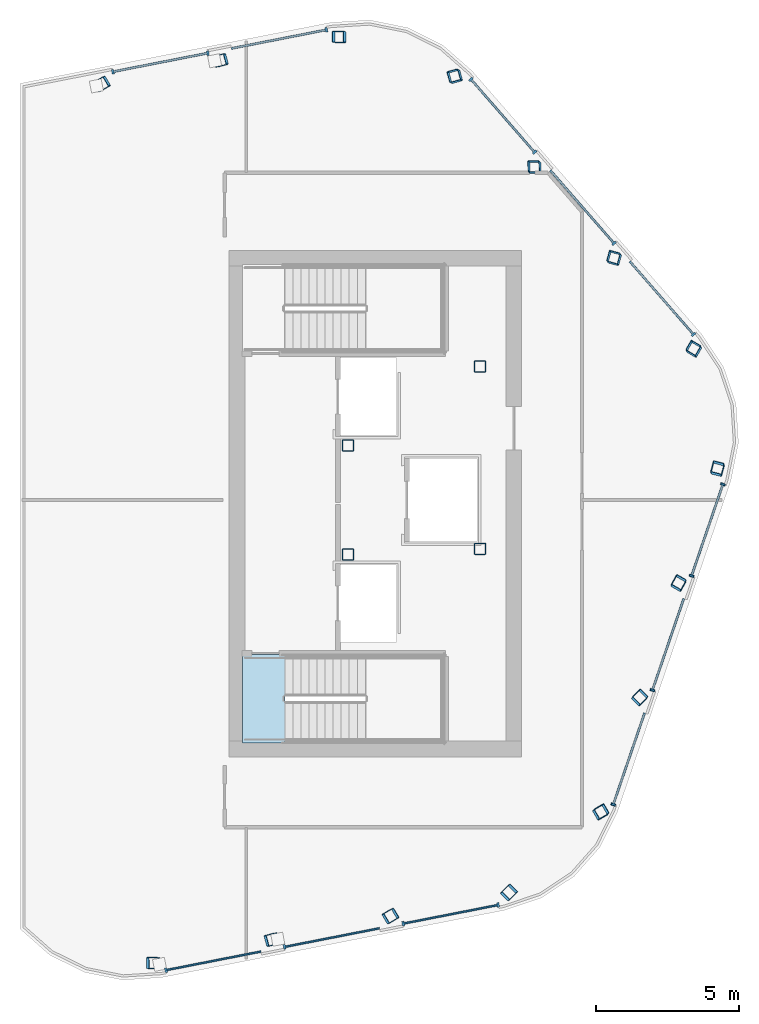
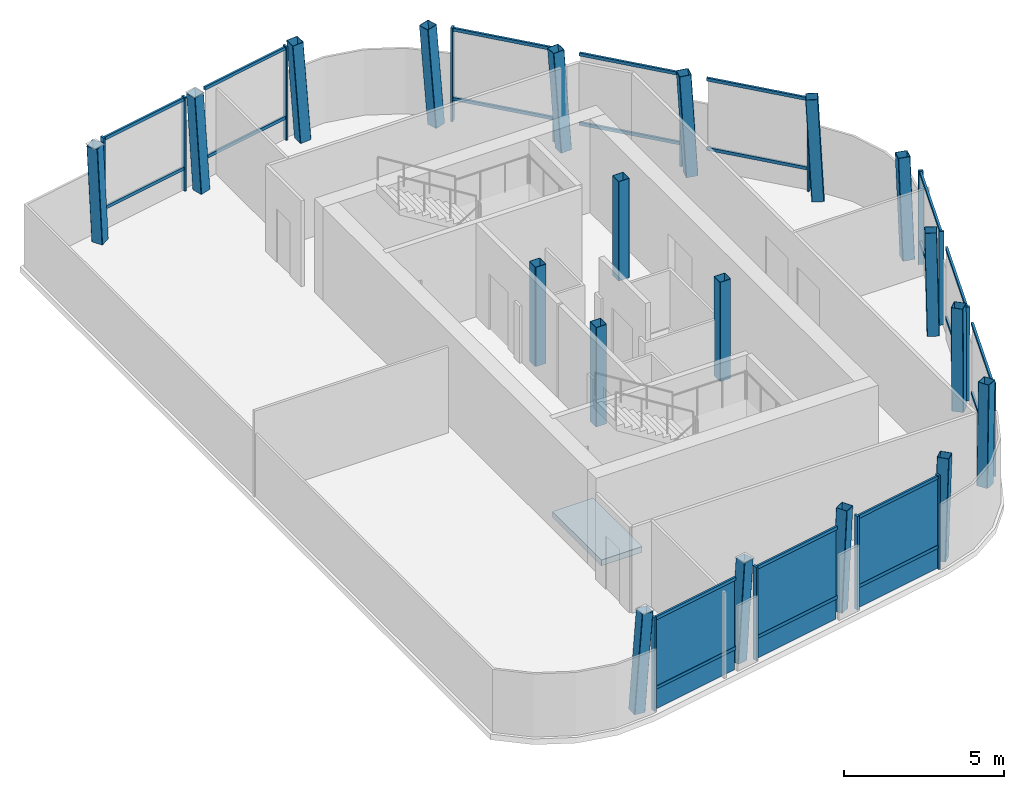
# One storey, part 1 of 5: 37 members, 19 columns, 3 plates, 1 slab, 4 elements without a shape of their own.
"""IFC4 building model written with IfcOpenShell, lengths in metres."""

import ifcopenshell
import ifcopenshell.guid

model = None  # the IFC model being written
_history = None  # IfcOwnerHistory: only IFC2X3 demands one
_inside = {}  # id of a spatial element -> (the spatial element, [elements in it])
_under = {}  # id of a project, library or spatial element -> (it, [spatial elements below it])
_declared = {}  # id of a project -> (the project, [libraries it declares])
_typed = {}  # id of a type object -> (the type object, [elements of that type])
_made_of = {}  # id of a material, layer set ... -> (it, [elements and type objects made of it])


def new_model(schema):
    """Start an empty IFC model of exactly this schema.

    Asked for "IFC4X3", IfcOpenShell would pick the latest addendum, in which some entities
    have other attributes; the version numbers below select the first issue.
    IFC2X3 requires an IfcOwnerHistory on every rooted entity: one is made here for all.
    """
    global model, _history
    if schema == "IFC4X3":
        model = ifcopenshell.file(schema_version=(4, 3, 0, 0))
    else:
        model = ifcopenshell.file(schema=schema)
    _inside.clear()
    _under.clear()
    _declared.clear()
    _typed.clear()
    _made_of.clear()
    _history = None
    if model.schema == "IFC2X3":
        org = make("IfcOrganization", Name="unknown")
        user = make(
            "IfcPersonAndOrganization",
            ThePerson=make("IfcPerson", FamilyName="unknown"),
            TheOrganization=org,
        )
        app = make(
            "IfcApplication",
            ApplicationDeveloper=org,
            Version="unknown",
            ApplicationFullName="unknown",
            ApplicationIdentifier="unknown",
        )
        _history = make(
            "IfcOwnerHistory",
            OwningUser=user,
            OwningApplication=app,
            ChangeAction="ADDED",
            CreationDate=0,
        )
    return model


def make(cls, **values):
    """One entity of the class cls with the attributes given. An attribute that is None is left unset."""
    return model.create_entity(
        cls, **{name: value for name, value in values.items() if value is not None}
    )


def rooted(cls, **values):
    """An entity with a GlobalId (a new one), such as an element, a storey or a relation."""
    return make(cls, GlobalId=ifcopenshell.guid.new(), OwnerHistory=_history, **values)


def si_unit(unit_type, name, prefix=None):
    """IfcSIUnit, for example si_unit("LENGTHUNIT", "METRE", prefix="MILLI")."""
    return make("IfcSIUnit", UnitType=unit_type, Prefix=prefix, Name=name)


def assignment(units):
    """IfcUnitAssignment: the units of a project."""
    return None if units is None else make("IfcUnitAssignment", Units=units)


def point(xyz):
    """IfcCartesianPoint."""
    return None if xyz is None else make("IfcCartesianPoint", Coordinates=xyz)


def direction(xyz):
    """IfcDirection."""
    return None if xyz is None else make("IfcDirection", DirectionRatios=xyz)


def frame(location, z_axis=None, x_axis=None):
    """IfcAxis2Placement3D, a coordinate frame: its origin and axes. An axis left out is left unset."""
    return make(
        "IfcAxis2Placement3D",
        Location=point(location),
        Axis=direction(z_axis),
        RefDirection=direction(x_axis),
    )


def frame_2d(location, x_axis=None):
    """IfcAxis2Placement2D, a coordinate frame in the plane: its origin and x axis."""
    return make(
        "IfcAxis2Placement2D", Location=point(location), RefDirection=direction(x_axis)
    )


def origin():
    """The frame at (0, 0, 0) with its axes left unset."""
    return frame((0.0, 0.0, 0.0))


def origin_2d():
    """The frame at (0, 0) in the plane with its x axis left unset."""
    return frame_2d((0.0, 0.0))


def place(relative_to, where):
    """IfcLocalPlacement: puts the frame where relative to a parent placement (None: the world)."""
    return make(
        "IfcLocalPlacement", PlacementRelTo=relative_to, RelativePlacement=where
    )


def context(
    kind, dimensions, precision=None, world=None, true_north=None, identifier=None
):
    """IfcGeometricRepresentationContext, for example the 3D "Model" context."""
    return make(
        "IfcGeometricRepresentationContext",
        ContextIdentifier=identifier,
        ContextType=kind,
        CoordinateSpaceDimension=dimensions,
        Precision=precision,
        WorldCoordinateSystem=world,
        TrueNorth=true_north,
    )


def subcontext(parent, identifier, kind, view, scale=None):
    """IfcGeometricRepresentationSubContext, for example "Body" below "Model"."""
    return make(
        "IfcGeometricRepresentationSubContext",
        ContextIdentifier=identifier,
        ContextType=kind,
        ParentContext=parent,
        TargetScale=scale,
        TargetView=view,
    )


def project(units=None, contexts=None):
    """IfcProject with its units and contexts."""
    return rooted(
        "IfcProject",
        Name="project",
        RepresentationContexts=contexts,
        UnitsInContext=assignment(units),
    )


def spatial(cls, under=None, at=None, **own):
    """A site, building, storey or space (cls), placed at a placement, below another one or the project."""
    s = rooted(cls, ObjectPlacement=at, **own)
    if under is not None:
        _under.setdefault(under.id(), (under, []))[1].append(s)
    return s


def polyline(points):
    """IfcPolyline through the points."""
    return make("IfcPolyline", Points=[point(p) for p in points])


def profile(cls, at=None, kind="AREA", **sizes):
    """A parametric profile (cls). Its sizes go by their IFC names, for example OverallWidth=200.0."""
    return make(cls, ProfileType=kind, Position=at, **sizes)


def rectangle(**sizes):
    """IfcRectangleProfileDef."""
    return profile("IfcRectangleProfileDef", **sizes)


def hollow_rectangle(**sizes):
    """IfcRectangleHollowProfileDef."""
    return profile("IfcRectangleHollowProfileDef", **sizes)


def outline(outer, holes=None, kind="AREA"):
    """IfcArbitraryClosedProfileDef: a profile drawn as a closed curve; with holes, ...WithVoids."""
    if holes is None:
        return make("IfcArbitraryClosedProfileDef", ProfileType=kind, OuterCurve=outer)
    return make(
        "IfcArbitraryProfileDefWithVoids",
        ProfileType=kind,
        OuterCurve=outer,
        InnerCurves=holes,
    )


def extrude(swept, where, along, depth):
    """IfcExtrudedAreaSolid: the profile swept, set in the frame where, extruded along a direction by depth."""
    return make(
        "IfcExtrudedAreaSolid",
        SweptArea=swept,
        Position=where,
        ExtrudedDirection=direction(along),
        Depth=depth,
    )


def shape(context_of_items, identifier, shape_type, items):
    """IfcShapeRepresentation: the items that make up one representation, for example the "Body"."""
    return make(
        "IfcShapeRepresentation",
        ContextOfItems=context_of_items,
        RepresentationIdentifier=identifier,
        RepresentationType=shape_type,
        Items=items,
    )


def material(Name=None, Category=None):
    """IfcMaterial."""
    return make("IfcMaterial", Name=Name, Category=Category)


def layer(
    of_material, thickness, ventilated=None, Name=None, Category=None, Priority=None
):
    """IfcMaterialLayer: one layer of a wall or slab, of a material (None: an air gap)."""
    return make(
        "IfcMaterialLayer",
        Material=of_material,
        LayerThickness=thickness,
        IsVentilated=ventilated,
        Name=Name,
        Category=Category,
        Priority=Priority,
    )


def layer_set(layers, Name=None):
    """IfcMaterialLayerSet."""
    return make("IfcMaterialLayerSet", MaterialLayers=layers, LayerSetName=Name)


def material_profile(
    of_material, cross_section, Name=None, Category=None, Priority=None
):
    """IfcMaterialProfile: a cross section and its material."""
    return make(
        "IfcMaterialProfile",
        Name=Name,
        Material=of_material,
        Profile=cross_section,
        Priority=Priority,
        Category=Category,
    )


def profile_set(profiles, Name=None, composite=None):
    """IfcMaterialProfileSet."""
    return make(
        "IfcMaterialProfileSet",
        Name=Name,
        MaterialProfiles=profiles,
        CompositeProfile=composite,
    )


def made_of(thing, what):
    """Note that an element or type object is made of a material, layer set ...; save() writes the relation."""
    if what is not None:
        _made_of.setdefault(what.id(), (what, []))[1].append(thing)
    return thing


def type_object(cls, material=None, **own):
    """A type object (cls), such as IfcWallType, which elements share."""
    return made_of(rooted(cls, **own), material)


def element(
    cls,
    number,
    at=None,
    inside=None,
    cuts=None,
    type_object=None,
    material=None,
    context=None,
    identifier="Body",
    shape_type=None,
    held_by="IfcProductDefinitionShape",
    body=None,
    shapes=None,
    **own,
):
    """One element of the class cls, such as IfcWall. Its Tag is "e" and its number.

    at: its placement. inside: the storey or other place that contains it. cuts: it is an
    opening in that element (IfcRelVoidsElement). A single representation is given by context,
    identifier, shape_type and body (its items); several are given by shapes. held_by: the class
    of the entity that holds the representations. save() writes the other relations.
    """
    e = rooted(cls, Tag="e%d" % number, ObjectPlacement=at, **own)
    if body is not None:
        shapes = [shape(context, identifier, shape_type, body)]
    if shapes is not None:
        e.Representation = make(held_by, Representations=shapes)
    if inside is not None:
        _inside.setdefault(inside.id(), (inside, []))[1].append(e)
    if cuts is not None:
        rooted(
            "IfcRelVoidsElement", RelatingBuildingElement=cuts, RelatedOpeningElement=e
        )
    if type_object is not None:
        _typed.setdefault(type_object.id(), (type_object, []))[1].append(e)
    return made_of(e, material)


def aggregate(whole, parts):
    """IfcRelAggregates: a whole, such as a stair, and the parts it consists of."""
    return rooted("IfcRelAggregates", RelatingObject=whole, RelatedObjects=parts)


def save(model, path):
    """Write the relations noted so far, then the file.

    IfcRelAggregates (storeys below a building ...), IfcRelContainedInSpatialStructure (elements
    in a storey), IfcRelDefinesByType, IfcRelAssociatesMaterial and IfcRelDeclares: one each for
    every whole, place, type object, material and project.
    """
    for whole, parts in _under.values():
        aggregate(whole, parts)
    for where, things in _inside.values():
        rooted(
            "IfcRelContainedInSpatialStructure",
            RelatedElements=things,
            RelatingStructure=where,
        )
    for kind, things in _typed.values():
        rooted("IfcRelDefinesByType", RelatedObjects=things, RelatingType=kind)
    for what, things in _made_of.values():
        rooted("IfcRelAssociatesMaterial", RelatedObjects=things, RelatingMaterial=what)
    for by, libraries in _declared.values():
        rooted("IfcRelDeclares", RelatingContext=by, RelatedDefinitions=libraries)
    model.write(path)


model = new_model("IFC4")

# Units and contexts
model_context = context("Model", 3, precision=1e-05, world=origin(), true_north=direction((0.0, 1.0)))
body_context = subcontext(model_context, "Body", "Model", "MODEL_VIEW")
ifc_project = project(units=[si_unit("LENGTHUNIT", "METRE"), si_unit("AREAUNIT", "SQUARE_METRE"), si_unit("VOLUMEUNIT", "CUBIC_METRE"), si_unit("PLANEANGLEUNIT", "RADIAN"), si_unit("MASSUNIT", "GRAM", prefix="KILO")], contexts=[model_context])

# Site, building, storey
site_placement = place(None, origin())
site = spatial("IfcSite", under=ifc_project, at=site_placement, CompositionType="ELEMENT")
building_placement = place(site_placement, origin())
building = spatial("IfcBuilding", under=site, at=building_placement, Name="Valkerne Bourse Tower", CompositionType="ELEMENT")
storey_placement = place(building_placement, frame((0.0, 0.0, 330.60009765625)))
storey = spatial("IfcBuildingStorey", under=building, at=storey_placement, Name="L84", CompositionType="ELEMENT", Elevation=330.60009765625)

# Columns
ifc_material_1 = material(Name="Steel ASTM A500 Grade C", Category="steel")
ifc_material_profile_1 = material_profile(ifc_material_1, hollow_rectangle(XDim=0.39990234375, YDim=0.39990234375, WallThickness=0.01611328125, OuterFilletRadius=0.031982421875, at=origin_2d()), Name="HSS400X400X16")
ifc_profile_set_1 = profile_set([ifc_material_profile_1], Name="Steel ASTM A500 Grade C")
column_type = type_object("IfcColumnType", Name="COL-HSS400X400X16", PredefinedType="COLUMN", material=ifc_profile_set_1)
for number, where, z_axis, x_axis, name in (
    (1, (50.35009765625, 25.10009765625, 0.0048828125), (0.0, 0.0, 1.0), (1.0, 0.0, 0.0), "L84 Core Frame Column CC-CE1"),
    (2, (50.35009765625, 28.89990234375, 0.0048828125), (0.0, 0.0, 1.0), (1.0, 0.0, 0.0), "L84 Core Frame Column CC-CE2"),
    (3, (54.949951171875, 25.300048828125, 0.0048828125), (0.0, 0.0, 1.0), (1.0, 0.0, 0.0), "L84 Core Frame Column CC-SE"),
    (4, (54.949951171875, 31.64990234375, 0.0048828125), (0.0, 0.0, 1.0), (1.0, 0.0, 0.0), "L84 Core Frame Column CC-NE"),
):
    element("IfcColumn", number, at=place(storey_placement, frame(where, z_axis=z_axis, x_axis=x_axis)), inside=storey, type_object=column_type, Name=name, PredefinedType="COLUMN", context=body_context, shape_type="SweptSolid", body=[
        extrude(hollow_rectangle(XDim=0.39990234375, YDim=0.39990234375, WallThickness=0.01611328125, OuterFilletRadius=0.031982421875, at=origin_2d()), origin(), (0.0, 0.0, 1.0), 3.794921875),
    ])
column_1_placement = place(storey_placement, frame((50.07373046875, 43.130859375, 0.010009765625), z_axis=(-0.066996518539, 0.013012785332, 0.997668348662), x_axis=(-0.00144876862, 0.999912625495, -0.013139347176)))
element("IfcColumn", 5, at=column_1_placement, inside=storey, type_object=column_type, Name="L84 Helical Perimeter Tube Column F1-C1", PredefinedType="COLUMN", context=body_context, shape_type="SweptSolid", body=[
    extrude(hollow_rectangle(XDim=0.39990234375, YDim=0.39990234375, WallThickness=0.01611328125, OuterFilletRadius=0.031982421875, at=origin_2d()), origin(), (0.0, 0.0, 1.0), 3.789794921875),
])
for number, where, z_axis, x_axis, name in (
    (6, (45.9404296875, 42.31982421875, 0.010009765625), (-0.063472956166, -0.004059691613, 0.997975301668), (-0.254375280028, 0.967028065338, -0.012244907517), "L84 Helical Perimeter Tube Column F1-C2"),
    (7, (41.807373046875, 41.509033203125, 0.010009765625), (-0.059993119854, -0.021200576189, 0.997973627477), (-0.508111108983, 0.861204412037, -0.012249963899), "L84 Helical Perimeter Tube Column F1-C3"),
):
    element("IfcColumn", number, at=place(storey_placement, frame(where, z_axis=z_axis, x_axis=x_axis)), inside=storey, type_object=column_type, Name=name, PredefinedType="COLUMN", context=body_context, shape_type="SweptSolid", body=[
        extrude(hollow_rectangle(XDim=0.39990234375, YDim=0.39990234375, WallThickness=0.01611328125, OuterFilletRadius=0.031982421875, at=origin_2d()), origin(), (0.0, 0.0, 1.0), 3.78857421875),
    ])
column_2_placement = place(storey_placement, frame((43.5263671875, 10.869140625, 0.010009765625), z_axis=(0.066932387544, -0.013012841467, 0.997672652454), x_axis=(-0.001269459924, 0.999913028379, 0.013127229327)))
element("IfcColumn", 8, at=column_2_placement, inside=storey, type_object=column_type, Name="L84 Helical Perimeter Tube Column F4-C1", PredefinedType="COLUMN", context=body_context, shape_type="SweptSolid", body=[
    extrude(hollow_rectangle(XDim=0.39990234375, YDim=0.39990234375, WallThickness=0.01611328125, OuterFilletRadius=0.031982421875, at=origin_2d()), origin(), (0.0, 0.0, 1.0), 3.789794921875),
])
for number, where, z_axis, x_axis, name in (
    (9, (47.659423828125, 11.68017578125, 0.010009765625), (0.063472956166, 0.004059691613, 0.997975301668), (-0.254375280028, 0.967028065338, 0.012244907517), "L84 Helical Perimeter Tube Column F4-C2"),
    (10, (51.792724609375, 12.490966796875, 0.010009765625), (0.059993119854, 0.021200576189, 0.997973627477), (-0.508111108983, 0.861204412037, 0.012249963899), "L84 Helical Perimeter Tube Column F4-C3"),
):
    element("IfcColumn", number, at=place(storey_placement, frame(where, z_axis=z_axis, x_axis=x_axis)), inside=storey, type_object=column_type, Name=name, PredefinedType="COLUMN", context=body_context, shape_type="SweptSolid", body=[
        extrude(hollow_rectangle(XDim=0.39990234375, YDim=0.39990234375, WallThickness=0.01611328125, OuterFilletRadius=0.031982421875, at=origin_2d()), origin(), (0.0, 0.0, 1.0), 3.78857421875),
    ])
for number, where, z_axis, x_axis, name in (
    (11, (55.92578125, 13.302001953125, 0.010009765625), (0.056496154115, 0.038265354098, 0.997669257443), (-0.709323895139, 0.704760268851, 0.013136789329), "L84 Helical Perimeter Tube Column F4-C4"),
    (12, (59.1328125, 16.099609375, 0.010009765625), (0.044771802764, 0.051471468213, 0.997670373238), (-0.863862111964, -0.499576536897, 0.064540958274), "L84 Helical Perimeter Tube Column F5-C1"),
):
    element("IfcColumn", number, at=place(storey_placement, frame(where, z_axis=z_axis, x_axis=x_axis)), inside=storey, type_object=column_type, Name=name, PredefinedType="COLUMN", context=body_context, shape_type="SweptSolid", body=[
        extrude(hollow_rectangle(XDim=0.39990234375, YDim=0.39990234375, WallThickness=0.01611328125, OuterFilletRadius=0.031982421875, at=origin_2d()), origin(), (0.0, 0.0, 1.0), 3.789794921875),
    ])
for number, where, z_axis, x_axis, name in (
    (13, (60.4970703125, 20.08447265625, 0.010009765625), (0.028224575029, 0.056964667411, 0.997977154063), (-0.709425047503, -0.702209766918, 0.060146032463), "L84 Helical Perimeter Tube Column F5-C2"),
    (14, (61.861572265625, 24.0693359375, 0.010009765625), (0.011663524346, 0.06257061956, 0.997972384271), (-0.491450273795, -0.868821363568, 0.06021682983), "L84 Helical Perimeter Tube Column F5-C3"),
):
    element("IfcColumn", number, at=place(storey_placement, frame(where, z_axis=z_axis, x_axis=x_axis)), inside=storey, type_object=column_type, Name=name, PredefinedType="COLUMN", context=body_context, shape_type="SweptSolid", body=[
        extrude(hollow_rectangle(XDim=0.39990234375, YDim=0.39990234375, WallThickness=0.01611328125, OuterFilletRadius=0.031982421875, at=origin_2d()), origin(), (0.0, 0.0, 1.0), 3.78857421875),
    ])
for number, where, z_axis, x_axis, name in (
    (15, (63.225830078125, 28.05419921875, 0.010009765625), (-0.004895914589, 0.06802744481, 0.997671437284), (-0.25532609799, -0.9646994085, 0.064526234386), "L84 Helical Perimeter Tube Column F5-C4"),
    (16, (62.406494140625, 32.230224609375, 0.010009765625), (-0.022160389844, 0.064548577395, 0.997668481149), (0.865873755489, -0.497612082001, 0.051428157684), "L84 Helical Perimeter Tube Column F6-C1"),
):
    element("IfcColumn", number, at=place(storey_placement, frame(where, z_axis=z_axis, x_axis=x_axis)), inside=storey, type_object=column_type, Name=name, PredefinedType="COLUMN", context=body_context, shape_type="SweptSolid", body=[
        extrude(hollow_rectangle(XDim=0.39990234375, YDim=0.39990234375, WallThickness=0.01611328125, OuterFilletRadius=0.031982421875, at=origin_2d()), origin(), (0.0, 0.0, 1.0), 3.789794921875),
    ])
for number, where, z_axis, x_axis, name in (
    (17, (59.6376953125, 35.404296875, 0.010009765625), (-0.03524838237, 0.052969232739, 0.997973853326), (0.963903736853, -0.261898436347, 0.047945751839), "L84 Helical Perimeter Tube Column F6-C2"),
    (18, (56.868896484375, 38.578369140625, 0.010009765625), (-0.048329614894, 0.041370150349, 0.997974327818), (0.998796526279, 0.010355760172, 0.047940143132), "L84 Helical Perimeter Tube Column F6-C3"),
):
    element("IfcColumn", number, at=place(storey_placement, frame(where, z_axis=z_axis, x_axis=x_axis)), inside=storey, type_object=column_type, Name=name, PredefinedType="COLUMN", context=body_context, shape_type="SweptSolid", body=[
        extrude(hollow_rectangle(XDim=0.39990234375, YDim=0.39990234375, WallThickness=0.01611328125, OuterFilletRadius=0.031982421875, at=origin_2d()), origin(), (0.0, 0.0, 1.0), 3.78857421875),
    ])
column_3_placement = place(storey_placement, frame((54.099853515625, 41.752197265625, 0.010009765625), z_axis=(-0.061392097751, 0.029761961344, 0.99766990332), x_axis=(0.963268842506, 0.263571419299, 0.051412488616)))
element("IfcColumn", 19, at=column_3_placement, inside=storey, type_object=column_type, Name="L84 Helical Perimeter Tube Column F6-C4", PredefinedType="COLUMN", context=body_context, shape_type="SweptSolid", body=[
    extrude(hollow_rectangle(XDim=0.39990234375, YDim=0.39990234375, WallThickness=0.01611328125, OuterFilletRadius=0.031982421875, at=origin_2d()), origin(), (0.0, 0.0, 1.0), 3.789794921875),
])

# Curtain wall, members
ifc_material_2 = material(Name="Aluminium AA 6063-T6", Category="aluminium")
ifc_layer_1 = layer(ifc_material_2, 0.25)
ifc_layer_set_1 = layer_set([ifc_layer_1], Name="Aluminium AA 6063-T6")
curtain_wall_type = type_object("IfcCurtainWallType", Name="CW-06", PredefinedType="NOTDEFINED", material=ifc_layer_set_1)
curtain_wall_1_placement = place(storey_placement, origin())
curtain_wall_1 = element("IfcCurtainWall", 20, at=curtain_wall_1_placement, inside=storey, type_object=curtain_wall_type, Name="L84 Hexagonal Stick Curtain Wall Face 1", PredefinedType="NOTDEFINED")
ifc_material_profile_2 = material_profile(ifc_material_2, rectangle(XDim=0.074951171875, YDim=0.159912109375, at=origin_2d()), Name="CWM-75X160")
ifc_profile_set_2 = profile_set([ifc_material_profile_2], Name="Aluminium AA 6063-T6")
member_type_1 = type_object("IfcMemberType", Name="CW-MUL-160X75", PredefinedType="MULLION", material=ifc_profile_set_2)
member_1_placement = place(storey_placement, frame((49.59619140625, 43.383544921875, 0.0), z_axis=(0.0, 0.0, 1.0), x_axis=(-0.981292735792, -0.192521600561, 0.0)))
member_1 = element("IfcMember", 21, at=member_1_placement, type_object=member_type_1, Name="CW-L84-F1 Jamb Mullion 00A", PredefinedType="MULLION", context=body_context, shape_type="SweptSolid", body=[
    extrude(rectangle(XDim=0.074951171875, YDim=0.159912109375, at=origin_2d()), origin(), (0.0, 0.0, 1.0), 3.579833984375),
])
member_2_placement = place(storey_placement, frame((45.462890625, 42.57275390625, 0.0), z_axis=(0.0, 0.0, 1.0), x_axis=(-0.981292735792, -0.192521600561, 0.0)))
member_2 = element("IfcMember", 22, at=member_2_placement, type_object=member_type_1, Name="CW-L84-F1 Jamb Mullion 01A", PredefinedType="MULLION", context=body_context, shape_type="SweptSolid", body=[
    extrude(rectangle(XDim=0.074951171875, YDim=0.159912109375, at=origin_2d()), origin(), (0.0, 0.0, 1.0), 3.579833984375),
])
member_3_placement = place(storey_placement, frame((42.154052734375, 41.923583984375, 0.0), z_axis=(0.0, 0.0, 1.0), x_axis=(-0.981292735792, -0.192521600561, 0.0)))
member_3 = element("IfcMember", 23, at=member_3_placement, type_object=member_type_1, Name="CW-L84-F1 Jamb Mullion 01B", PredefinedType="MULLION", context=body_context, shape_type="SweptSolid", body=[
    extrude(rectangle(XDim=0.074951171875, YDim=0.159912109375, at=origin_2d()), origin(), (0.0, 0.0, 1.0), 3.579833984375),
])

curtain_wall_2_placement = place(storey_placement, origin())
curtain_wall_2 = element("IfcCurtainWall", 24, at=curtain_wall_2_placement, inside=storey, type_object=curtain_wall_type, Name="L84 Hexagonal Stick Curtain Wall Face 4", PredefinedType="NOTDEFINED")
member_4_placement = place(storey_placement, frame((44.00390625, 10.616455078125, 0.0), z_axis=(0.0, 0.0, 1.0), x_axis=(0.981292735792, 0.192521600561, 0.0)))
member_4 = element("IfcMember", 25, at=member_4_placement, type_object=member_type_1, Name="CW-L84-F4 Jamb Mullion 00A", PredefinedType="MULLION", context=body_context, shape_type="SweptSolid", body=[
    extrude(rectangle(XDim=0.074951171875, YDim=0.159912109375, at=origin_2d()), origin(), (0.0, 0.0, 1.0), 3.579833984375),
])
member_5_placement = place(storey_placement, frame((48.13720703125, 11.42724609375, 0.0), z_axis=(0.0, 0.0, 1.0), x_axis=(0.981292735792, 0.192521600561, 0.0)))
member_5 = element("IfcMember", 26, at=member_5_placement, type_object=member_type_1, Name="CW-L84-F4 Jamb Mullion 01A", PredefinedType="MULLION", context=body_context, shape_type="SweptSolid", body=[
    extrude(rectangle(XDim=0.074951171875, YDim=0.159912109375, at=origin_2d()), origin(), (0.0, 0.0, 1.0), 3.579833984375),
])
member_6_placement = place(storey_placement, frame((52.270263671875, 12.23828125, 0.0), z_axis=(0.0, 0.0, 1.0), x_axis=(0.981292735792, 0.192521600561, 0.0)))
member_6 = element("IfcMember", 27, at=member_6_placement, type_object=member_type_1, Name="CW-L84-F4 Jamb Mullion 02A", PredefinedType="MULLION", context=body_context, shape_type="SweptSolid", body=[
    extrude(rectangle(XDim=0.074951171875, YDim=0.159912109375, at=origin_2d()), origin(), (0.0, 0.0, 1.0), 3.579833984375),
])
member_7_placement = place(storey_placement, frame((55.5791015625, 12.887451171875, 0.0), z_axis=(0.0, 0.0, 1.0), x_axis=(0.981292735792, 0.192521600561, 0.0)))
member_7 = element("IfcMember", 28, at=member_7_placement, type_object=member_type_1, Name="CW-L84-F4 Jamb Mullion 02B", PredefinedType="MULLION", context=body_context, shape_type="SweptSolid", body=[
    extrude(rectangle(XDim=0.074951171875, YDim=0.159912109375, at=origin_2d()), origin(), (0.0, 0.0, 1.0), 3.579833984375),
])

curtain_wall_3_placement = place(storey_placement, origin())
curtain_wall_3 = element("IfcCurtainWall", 29, at=curtain_wall_3_placement, inside=storey, type_object=curtain_wall_type, Name="L84 Hexagonal Stick Curtain Wall Face 5", PredefinedType="NOTDEFINED")
member_8_placement = place(storey_placement, frame((59.590576171875, 16.38671875, 0.0), z_axis=(0.0, 0.0, 1.0), x_axis=(0.32390972172, 0.946087993886, 0.0)))
member_8 = element("IfcMember", 30, at=member_8_placement, type_object=member_type_1, Name="CW-L84-F5 Jamb Mullion 00A", PredefinedType="MULLION", context=body_context, shape_type="SweptSolid", body=[
    extrude(rectangle(XDim=0.074951171875, YDim=0.159912109375, at=origin_2d()), origin(), (0.0, 0.0, 1.0), 3.579833984375),
])
member_9_placement = place(storey_placement, frame((60.954833984375, 20.37158203125, 0.0), z_axis=(0.0, 0.0, 1.0), x_axis=(0.323930972356, 0.946080718094, 0.0)))
member_9 = element("IfcMember", 31, at=member_9_placement, type_object=member_type_1, Name="CW-L84-F5 Jamb Mullion 01A", PredefinedType="MULLION", context=body_context, shape_type="SweptSolid", body=[
    extrude(rectangle(XDim=0.074951171875, YDim=0.159912109375, at=origin_2d()), origin(), (0.0, 0.0, 1.0), 3.579833984375),
])
member_10_placement = place(storey_placement, frame((62.319091796875, 24.3564453125, 0.0), z_axis=(0.0, 0.0, 1.0), x_axis=(0.32390972172, 0.946087993886, 0.0)))
member_10 = element("IfcMember", 32, at=member_10_placement, type_object=member_type_1, Name="CW-L84-F5 Jamb Mullion 02A", PredefinedType="MULLION", context=body_context, shape_type="SweptSolid", body=[
    extrude(rectangle(XDim=0.074951171875, YDim=0.159912109375, at=origin_2d()), origin(), (0.0, 0.0, 1.0), 3.579833984375),
])
member_11_placement = place(storey_placement, frame((63.411376953125, 27.546630859375, 0.0), z_axis=(0.0, 0.0, 1.0), x_axis=(0.32390972172, 0.946087993886, 0.0)))
member_11 = element("IfcMember", 33, at=member_11_placement, type_object=member_type_1, Name="CW-L84-F5 Jamb Mullion 02B", PredefinedType="MULLION", context=body_context, shape_type="SweptSolid", body=[
    extrude(rectangle(XDim=0.074951171875, YDim=0.159912109375, at=origin_2d()), origin(), (0.0, 0.0, 1.0), 3.579833984375),
])

curtain_wall_4_placement = place(storey_placement, origin())
curtain_wall_4 = element("IfcCurtainWall", 34, at=curtain_wall_4_placement, inside=storey, type_object=curtain_wall_type, Name="L84 Hexagonal Stick Curtain Wall Face 6", PredefinedType="NOTDEFINED")
member_12_placement = place(storey_placement, frame((62.38671875, 32.770263671875, 0.0), z_axis=(0.0, 0.0, 1.0), x_axis=(-0.657367604564, 0.753570058103, 0.0)))
member_12 = element("IfcMember", 35, at=member_12_placement, type_object=member_type_1, Name="CW-L84-F6 Jamb Mullion 00A", PredefinedType="MULLION", context=body_context, shape_type="SweptSolid", body=[
    extrude(rectangle(XDim=0.074951171875, YDim=0.159912109375, at=origin_2d()), origin(), (0.0, 0.0, 1.0), 3.579833984375),
])
member_13_placement = place(storey_placement, frame((59.617919921875, 35.9443359375, 0.0), z_axis=(0.0, 0.0, 1.0), x_axis=(-0.657381086544, 0.753558297051, 0.0)))
member_13 = element("IfcMember", 36, at=member_13_placement, type_object=member_type_1, Name="CW-L84-F6 Jamb Mullion 01A", PredefinedType="MULLION", context=body_context, shape_type="SweptSolid", body=[
    extrude(rectangle(XDim=0.074951171875, YDim=0.159912109375, at=origin_2d()), origin(), (0.0, 0.0, 1.0), 3.579833984375),
])
member_14_placement = place(storey_placement, frame((56.848876953125, 39.118408203125, 0.0), z_axis=(0.0, 0.0, 1.0), x_axis=(-0.657381086544, 0.753558297051, 0.0)))
member_14 = element("IfcMember", 37, at=member_14_placement, type_object=member_type_1, Name="CW-L84-F6 Jamb Mullion 02A", PredefinedType="MULLION", context=body_context, shape_type="SweptSolid", body=[
    extrude(rectangle(XDim=0.074951171875, YDim=0.159912109375, at=origin_2d()), origin(), (0.0, 0.0, 1.0), 3.579833984375),
])
member_15_placement = place(storey_placement, frame((54.632080078125, 41.6591796875, 0.0), z_axis=(0.0, 0.0, 1.0), x_axis=(-0.657381086544, 0.753558297051, 0.0)))
member_15 = element("IfcMember", 38, at=member_15_placement, type_object=member_type_1, Name="CW-L84-F6 Jamb Mullion 02B", PredefinedType="MULLION", context=body_context, shape_type="SweptSolid", body=[
    extrude(rectangle(XDim=0.074951171875, YDim=0.159912109375, at=origin_2d()), origin(), (0.0, 0.0, 1.0), 3.579833984375),
])

# Member
ifc_material_profile_3 = material_profile(ifc_material_2, rectangle(XDim=0.074951171875, YDim=0.1201171875, at=origin_2d()), Name="CWT-75X120")
ifc_profile_set_3 = profile_set([ifc_material_profile_3], Name="Aluminium AA 6063-T6")
member_type_2 = type_object("IfcMemberType", Name="CW-TRN-120X75", PredefinedType="USERDEFINED", material=ifc_profile_set_3)
member_16_placement = place(storey_placement, frame((49.59619140625, 43.383544921875, 0.849853515625), z_axis=(-0.981295250042, -0.19250878485, 0.0), x_axis=(0.19250878485, -0.981295250042, 0.0)))
member_16 = element("IfcMember", 39, at=member_16_placement, type_object=member_type_2, Name="CW-L84-F1 Bay Transom 00-1", ObjectType="TRANSOM", PredefinedType="USERDEFINED", context=body_context, shape_type="SweptSolid", body=[
    extrude(rectangle(XDim=0.074951171875, YDim=0.1201171875, at=origin_2d()), origin(), (0.0, 0.0, 1.0), 3.3720703125),
])

member_17_placement = place(storey_placement, frame((49.59619140625, 43.383544921875, 3.5), z_axis=(-0.981295250042, -0.19250878485, 0.0), x_axis=(0.19250878485, -0.981295250042, 0.0)))
member_17 = element("IfcMember", 40, at=member_17_placement, type_object=member_type_2, Name="CW-L84-F1 Bay Transom 00-2", ObjectType="TRANSOM", PredefinedType="USERDEFINED", context=body_context, shape_type="SweptSolid", body=[
    extrude(rectangle(XDim=0.074951171875, YDim=0.1201171875, at=origin_2d()), origin(), (0.0, 0.0, 1.0), 3.3720703125),
])

member_18_placement = place(storey_placement, frame((45.462890625, 42.57275390625, 0.849853515625), z_axis=(-0.981292566678, -0.192522462539, 0.0), x_axis=(0.192522462539, -0.981292566678, 0.0)))
member_18 = element("IfcMember", 41, at=member_18_placement, type_object=member_type_2, Name="CW-L84-F1 Bay Transom 01-1", ObjectType="TRANSOM", PredefinedType="USERDEFINED", context=body_context, shape_type="SweptSolid", body=[
    extrude(rectangle(XDim=0.074951171875, YDim=0.1201171875, at=origin_2d()), origin(), (0.0, 0.0, 1.0), 3.371826171875),
])

member_19_placement = place(storey_placement, frame((45.462890625, 42.57275390625, 3.5), z_axis=(-0.981292566678, -0.192522462539, 0.0), x_axis=(0.192522462539, -0.981292566678, 0.0)))
member_19 = element("IfcMember", 42, at=member_19_placement, type_object=member_type_2, Name="CW-L84-F1 Bay Transom 01-2", ObjectType="TRANSOM", PredefinedType="USERDEFINED", context=body_context, shape_type="SweptSolid", body=[
    extrude(rectangle(XDim=0.074951171875, YDim=0.1201171875, at=origin_2d()), origin(), (0.0, 0.0, 1.0), 3.371826171875),
])

aggregate(curtain_wall_1, [member_1, member_16, member_17, member_2, member_3, member_18, member_19])

member_20_placement = place(storey_placement, frame((44.00390625, 10.616455078125, 0.849853515625), z_axis=(0.981292566678, 0.192522462539, 0.0), x_axis=(-0.192522462539, 0.981292566678, 0.0)))
member_20 = element("IfcMember", 43, at=member_20_placement, type_object=member_type_2, Name="CW-L84-F4 Bay Transom 00-1", ObjectType="TRANSOM", PredefinedType="USERDEFINED", context=body_context, shape_type="SweptSolid", body=[
    extrude(rectangle(XDim=0.074951171875, YDim=0.1201171875, at=origin_2d()), origin(), (0.0, 0.0, 1.0), 3.371826171875),
])

member_21_placement = place(storey_placement, frame((44.00390625, 10.616455078125, 3.5), z_axis=(0.981292566678, 0.192522462539, 0.0), x_axis=(-0.192522462539, 0.981292566678, 0.0)))
member_21 = element("IfcMember", 44, at=member_21_placement, type_object=member_type_2, Name="CW-L84-F4 Bay Transom 00-2", ObjectType="TRANSOM", PredefinedType="USERDEFINED", context=body_context, shape_type="SweptSolid", body=[
    extrude(rectangle(XDim=0.074951171875, YDim=0.1201171875, at=origin_2d()), origin(), (0.0, 0.0, 1.0), 3.371826171875),
])

member_22_placement = place(storey_placement, frame((48.13720703125, 11.42724609375, 0.849853515625), z_axis=(0.981292566678, 0.192522462539, 0.0), x_axis=(-0.192522462539, 0.981292566678, 0.0)))
member_22 = element("IfcMember", 45, at=member_22_placement, type_object=member_type_2, Name="CW-L84-F4 Bay Transom 01-1", ObjectType="TRANSOM", PredefinedType="USERDEFINED", context=body_context, shape_type="SweptSolid", body=[
    extrude(rectangle(XDim=0.074951171875, YDim=0.1201171875, at=origin_2d()), origin(), (0.0, 0.0, 1.0), 3.371826171875),
])

member_23_placement = place(storey_placement, frame((48.13720703125, 11.42724609375, 3.5), z_axis=(0.981292566678, 0.192522462539, 0.0), x_axis=(-0.192522462539, 0.981292566678, 0.0)))
member_23 = element("IfcMember", 46, at=member_23_placement, type_object=member_type_2, Name="CW-L84-F4 Bay Transom 01-2", ObjectType="TRANSOM", PredefinedType="USERDEFINED", context=body_context, shape_type="SweptSolid", body=[
    extrude(rectangle(XDim=0.074951171875, YDim=0.1201171875, at=origin_2d()), origin(), (0.0, 0.0, 1.0), 3.371826171875),
])

member_24_placement = place(storey_placement, frame((52.270263671875, 12.23828125, 0.849853515625), z_axis=(0.981292566678, 0.192522462539, 0.0), x_axis=(-0.192522462539, 0.981292566678, 0.0)))
member_24 = element("IfcMember", 47, at=member_24_placement, type_object=member_type_2, Name="CW-L84-F4 Bay Transom 02-1", ObjectType="TRANSOM", PredefinedType="USERDEFINED", context=body_context, shape_type="SweptSolid", body=[
    extrude(rectangle(XDim=0.074951171875, YDim=0.1201171875, at=origin_2d()), origin(), (0.0, 0.0, 1.0), 3.371826171875),
])

member_25_placement = place(storey_placement, frame((52.270263671875, 12.23828125, 3.5), z_axis=(0.981292566678, 0.192522462539, 0.0), x_axis=(-0.192522462539, 0.981292566678, 0.0)))
member_25 = element("IfcMember", 48, at=member_25_placement, type_object=member_type_2, Name="CW-L84-F4 Bay Transom 02-2", ObjectType="TRANSOM", PredefinedType="USERDEFINED", context=body_context, shape_type="SweptSolid", body=[
    extrude(rectangle(XDim=0.074951171875, YDim=0.1201171875, at=origin_2d()), origin(), (0.0, 0.0, 1.0), 3.371826171875),
])

member_26_placement = place(storey_placement, frame((59.590576171875, 16.38671875, 0.849853515625), z_axis=(0.323863364428, 0.946103863845, 0.0), x_axis=(-0.946103863845, 0.323863364428, 0.0)))
member_26 = element("IfcMember", 49, at=member_26_placement, type_object=member_type_2, Name="CW-L84-F5 Bay Transom 00-1", ObjectType="TRANSOM", PredefinedType="USERDEFINED", context=body_context, shape_type="SweptSolid", body=[
    extrude(rectangle(XDim=0.074951171875, YDim=0.1201171875, at=origin_2d()), origin(), (0.0, 0.0, 1.0), 3.371826171875),
])

member_27_placement = place(storey_placement, frame((59.590576171875, 16.38671875, 3.5), z_axis=(0.323863364428, 0.946103863845, 0.0), x_axis=(-0.946103863845, 0.323863364428, 0.0)))
member_27 = element("IfcMember", 50, at=member_27_placement, type_object=member_type_2, Name="CW-L84-F5 Bay Transom 00-2", ObjectType="TRANSOM", PredefinedType="USERDEFINED", context=body_context, shape_type="SweptSolid", body=[
    extrude(rectangle(XDim=0.074951171875, YDim=0.1201171875, at=origin_2d()), origin(), (0.0, 0.0, 1.0), 3.371826171875),
])

member_28_placement = place(storey_placement, frame((60.954833984375, 20.37158203125, 0.849853515625), z_axis=(0.32392817193, 0.946081676934, 0.0), x_axis=(-0.946081676934, 0.32392817193, 0.0)))
member_28 = element("IfcMember", 51, at=member_28_placement, type_object=member_type_2, Name="CW-L84-F5 Bay Transom 01-1", ObjectType="TRANSOM", PredefinedType="USERDEFINED", context=body_context, shape_type="SweptSolid", body=[
    extrude(rectangle(XDim=0.074951171875, YDim=0.1201171875, at=origin_2d()), origin(), (0.0, 0.0, 1.0), 3.3720703125),
])

member_29_placement = place(storey_placement, frame((60.954833984375, 20.37158203125, 3.5), z_axis=(0.32392817193, 0.946081676934, 0.0), x_axis=(-0.946081676934, 0.32392817193, 0.0)))
member_29 = element("IfcMember", 52, at=member_29_placement, type_object=member_type_2, Name="CW-L84-F5 Bay Transom 01-2", ObjectType="TRANSOM", PredefinedType="USERDEFINED", context=body_context, shape_type="SweptSolid", body=[
    extrude(rectangle(XDim=0.074951171875, YDim=0.1201171875, at=origin_2d()), origin(), (0.0, 0.0, 1.0), 3.3720703125),
])

member_30_placement = place(storey_placement, frame((62.319091796875, 24.3564453125, 0.849853515625), z_axis=(0.32392817193, 0.946081676934, 0.0), x_axis=(-0.946081676934, 0.32392817193, 0.0)))
member_30 = element("IfcMember", 53, at=member_30_placement, type_object=member_type_2, Name="CW-L84-F5 Bay Transom 02-1", ObjectType="TRANSOM", PredefinedType="USERDEFINED", context=body_context, shape_type="SweptSolid", body=[
    extrude(rectangle(XDim=0.074951171875, YDim=0.1201171875, at=origin_2d()), origin(), (0.0, 0.0, 1.0), 3.3720703125),
])

member_31_placement = place(storey_placement, frame((62.319091796875, 24.3564453125, 3.5), z_axis=(0.32392817193, 0.946081676934, 0.0), x_axis=(-0.946081676934, 0.32392817193, 0.0)))
member_31 = element("IfcMember", 54, at=member_31_placement, type_object=member_type_2, Name="CW-L84-F5 Bay Transom 02-2", ObjectType="TRANSOM", PredefinedType="USERDEFINED", context=body_context, shape_type="SweptSolid", body=[
    extrude(rectangle(XDim=0.074951171875, YDim=0.1201171875, at=origin_2d()), origin(), (0.0, 0.0, 1.0), 3.3720703125),
])

aggregate(curtain_wall_3, [member_8, member_26, member_27, member_9, member_28, member_29, member_10, member_11, member_30, member_31])

member_32_placement = place(storey_placement, frame((62.38671875, 32.770263671875, 0.849853515625), z_axis=(-0.657396743923, 0.753544637748, 0.0), x_axis=(-0.753544637748, -0.657396743923, 0.0)))
member_32 = element("IfcMember", 55, at=member_32_placement, type_object=member_type_2, Name="CW-L84-F6 Bay Transom 00-1", ObjectType="TRANSOM", PredefinedType="USERDEFINED", context=body_context, shape_type="SweptSolid", body=[
    extrude(rectangle(XDim=0.074951171875, YDim=0.1201171875, at=origin_2d()), origin(), (0.0, 0.0, 1.0), 3.3720703125),
])

member_33_placement = place(storey_placement, frame((62.38671875, 32.770263671875, 3.5), z_axis=(-0.657396743923, 0.753544637748, 0.0), x_axis=(-0.753544637748, -0.657396743923, 0.0)))
member_33 = element("IfcMember", 56, at=member_33_placement, type_object=member_type_2, Name="CW-L84-F6 Bay Transom 00-2", ObjectType="TRANSOM", PredefinedType="USERDEFINED", context=body_context, shape_type="SweptSolid", body=[
    extrude(rectangle(XDim=0.074951171875, YDim=0.1201171875, at=origin_2d()), origin(), (0.0, 0.0, 1.0), 3.3720703125),
])

member_34_placement = place(storey_placement, frame((59.617919921875, 35.9443359375, 0.849853515625), z_axis=(-0.657396743923, 0.753544637748, 0.0), x_axis=(-0.753544637748, -0.657396743923, 0.0)))
member_34 = element("IfcMember", 57, at=member_34_placement, type_object=member_type_2, Name="CW-L84-F6 Bay Transom 01-1", ObjectType="TRANSOM", PredefinedType="USERDEFINED", context=body_context, shape_type="SweptSolid", body=[
    extrude(rectangle(XDim=0.074951171875, YDim=0.1201171875, at=origin_2d()), origin(), (0.0, 0.0, 1.0), 3.3720703125),
])

member_35_placement = place(storey_placement, frame((59.617919921875, 35.9443359375, 3.5), z_axis=(-0.657396743923, 0.753544637748, 0.0), x_axis=(-0.753544637748, -0.657396743923, 0.0)))
member_35 = element("IfcMember", 58, at=member_35_placement, type_object=member_type_2, Name="CW-L84-F6 Bay Transom 01-2", ObjectType="TRANSOM", PredefinedType="USERDEFINED", context=body_context, shape_type="SweptSolid", body=[
    extrude(rectangle(XDim=0.074951171875, YDim=0.1201171875, at=origin_2d()), origin(), (0.0, 0.0, 1.0), 3.3720703125),
])

member_36_placement = place(storey_placement, frame((56.848876953125, 39.118408203125, 0.849853515625), z_axis=(-0.657432610746, 0.753513345819, 0.0), x_axis=(-0.753513345819, -0.657432610746, 0.0)))
member_36 = element("IfcMember", 59, at=member_36_placement, type_object=member_type_2, Name="CW-L84-F6 Bay Transom 02-1", ObjectType="TRANSOM", PredefinedType="USERDEFINED", context=body_context, shape_type="SweptSolid", body=[
    extrude(rectangle(XDim=0.074951171875, YDim=0.1201171875, at=origin_2d()), origin(), (0.0, 0.0, 1.0), 3.371826171875),
])

member_37_placement = place(storey_placement, frame((56.848876953125, 39.118408203125, 3.5), z_axis=(-0.657432610746, 0.753513345819, 0.0), x_axis=(-0.753513345819, -0.657432610746, 0.0)))
member_37 = element("IfcMember", 60, at=member_37_placement, type_object=member_type_2, Name="CW-L84-F6 Bay Transom 02-2", ObjectType="TRANSOM", PredefinedType="USERDEFINED", context=body_context, shape_type="SweptSolid", body=[
    extrude(rectangle(XDim=0.074951171875, YDim=0.1201171875, at=origin_2d()), origin(), (0.0, 0.0, 1.0), 3.371826171875),
])

aggregate(curtain_wall_4, [member_12, member_32, member_33, member_13, member_34, member_35, member_14, member_15, member_36, member_37])

# Plate
ifc_material_3 = material(Name="Bronze Anodised Aluminium AA 6063-T6", Category="aluminium")
ifc_layer_2 = layer(ifc_material_3, 0.0400390625)
ifc_layer_set_2 = layer_set([ifc_layer_2], Name="Bronze Anodised Aluminium AA 6063-T6")
plate_type = type_object("IfcPlateType", Name="CW-PNL-LOUVRE-40", PredefinedType="CURTAIN_PANEL", material=ifc_layer_set_2)
plate_1_placement = place(storey_placement, frame((45.658203125, 10.94091796875, 0.02978515625), z_axis=(0.0, 0.0, 1.0), x_axis=(0.981292735792, 0.192521600561, 0.0)))
plate_1 = element("IfcPlate", 61, at=plate_1_placement, type_object=plate_type, Name="CW-L84-F4 Curtain Panel 00", PredefinedType="CURTAIN_PANEL", context=body_context, shape_type="SweptSolid", body=[
    extrude(rectangle(XDim=3.2919921875, YDim=0.0400390625, at=origin_2d()), origin(), (0.0, 0.0, 1.0), 3.52001953125),
])

plate_2_placement = place(storey_placement, frame((49.79150390625, 11.751953125, 0.02978515625), z_axis=(0.0, 0.0, 1.0), x_axis=(0.981292735792, 0.192521600561, 0.0)))
plate_2 = element("IfcPlate", 62, at=plate_2_placement, type_object=plate_type, Name="CW-L84-F4 Curtain Panel 01", PredefinedType="CURTAIN_PANEL", context=body_context, shape_type="SweptSolid", body=[
    extrude(rectangle(XDim=3.2919921875, YDim=0.0400390625, at=origin_2d()), origin(), (0.0, 0.0, 1.0), 3.52001953125),
])

plate_3_placement = place(storey_placement, frame((53.9248046875, 12.562744140625, 0.02978515625), z_axis=(0.0, 0.0, 1.0), x_axis=(0.981292735792, 0.192521600561, 0.0)))
plate_3 = element("IfcPlate", 63, at=plate_3_placement, type_object=plate_type, Name="CW-L84-F4 Curtain Panel 02", PredefinedType="CURTAIN_PANEL", context=body_context, shape_type="SweptSolid", body=[
    extrude(rectangle(XDim=3.2919921875, YDim=0.0400390625, at=origin_2d()), origin(), (0.0, 0.0, 1.0), 3.52001953125),
])

aggregate(curtain_wall_2, [member_4, member_20, member_21, plate_1, member_5, member_22, member_23, plate_2, member_6, member_7, member_24, member_25, plate_3])

# Slab
ifc_material_4 = material(Name="Concrete C40/50", Category="concrete")
ifc_layer_3 = layer(ifc_material_4, 0.25)
ifc_layer_set_3 = layer_set([ifc_layer_3], Name="Concrete C40/50")
slab_type = type_object("IfcSlabType", Name="SLB-RMP-LND-250", PredefinedType="LANDING", material=ifc_layer_set_3)
slab_placement = place(storey_placement, frame((0.0, 0.0, -0.22021484375)))
element("IfcSlab", 64, at=slab_placement, inside=storey, type_object=slab_type, Name="L84 ST-1 Floor Landing Slab", PredefinedType="LANDING", context=body_context, shape_type="SweptSolid", body=[
    extrude(outline(polyline([(46.669921875, 18.5400390625), (48.14990234375, 18.5400390625), (48.14990234375, 21.610107421875), (46.669921875, 21.610107421875), (46.669921875, 18.5400390625)])), origin(), (0.0, 0.0, 1.0), 0.22021484375),
])

save(model, "model.ifc")
